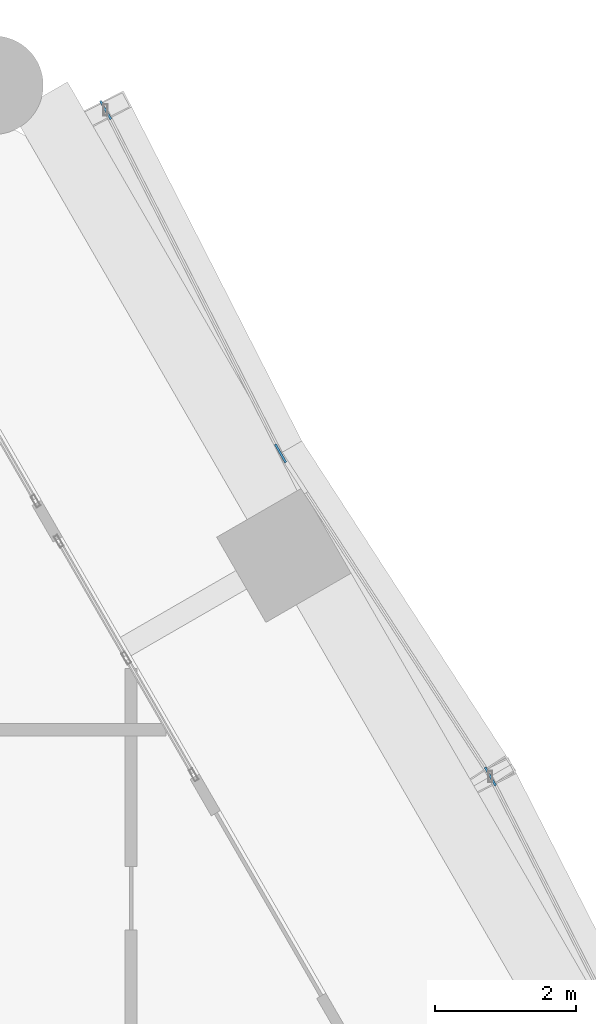
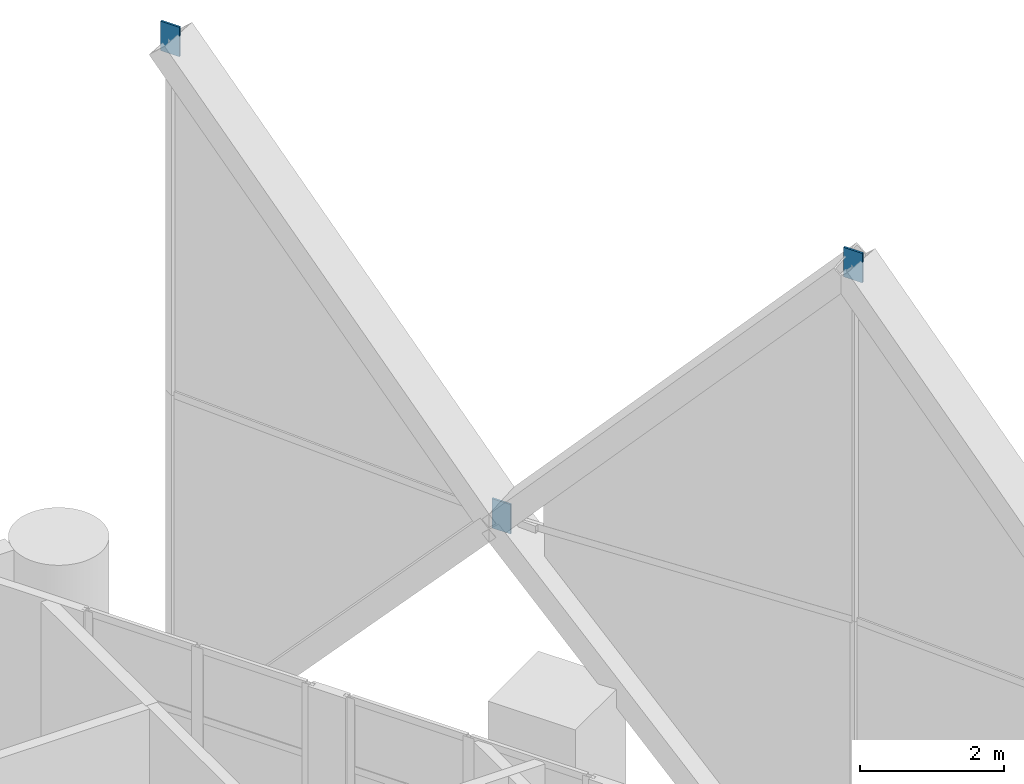
# One storey, part 45 of 46: 3 discrete accessories.
"""IFC4 building model written with IfcOpenShell, lengths in metres."""

from ifc_helpers import new_model, si_unit, direction, frame, origin, origin_2d, place, context, subcontext, project, spatial, rectangle, extrude, material, layer, layer_set, type_object, element, save


model = new_model("IFC4")

# Units and contexts
model_context = context("Model", 3, precision=1e-05, world=origin(), true_north=direction((0.0, 1.0)))
body_context = subcontext(model_context, "Body", "Model", "MODEL_VIEW")
ifc_project = project(units=[si_unit("LENGTHUNIT", "METRE"), si_unit("AREAUNIT", "SQUARE_METRE"), si_unit("VOLUMEUNIT", "CUBIC_METRE"), si_unit("PLANEANGLEUNIT", "RADIAN"), si_unit("MASSUNIT", "GRAM", prefix="KILO")], contexts=[model_context])

# Site, building, storey
site_placement = place(None, origin())
site = spatial("IfcSite", under=ifc_project, at=site_placement, CompositionType="ELEMENT")
building_placement = place(site_placement, origin())
building = spatial("IfcBuilding", under=site, at=building_placement, Name="Ostrander Bayou Hotel Tower", CompositionType="ELEMENT")
storey_placement = place(building_placement, frame((0.0, 0.0, 23.5)))
storey = spatial("IfcBuildingStorey", under=building, at=storey_placement, Name="L05", CompositionType="ELEMENT", Elevation=23.5)

# Discrete accessories
ifc_material = material(Name="Steel ASTM A572 Gr 50", Category="steel")
ifc_layer = layer(ifc_material, 0.030029296875)
ifc_layer_set = layer_set([ifc_layer], Name="GP1 gusset plate 30 mm")
discrete_accessory_type = type_object("IfcDiscreteAccessoryType", Name="GP1 gusset plate 30 mm", PredefinedType="BRACKET", material=ifc_layer_set)
for number, where, z_axis, x_axis, name in (
    (1, (19.11328125, 11.034912109375, 11.14990234375), (0.0, 0.0, 1.0), (-0.5, 0.866025403784, 0.0), "GP1 gusset plate lat 63"),
    (2, (16.126953125, 15.63330078125, 5.14990234375), (0.0, 0.0, 1.0), (-0.5, 0.866025403784, 0.0), "GP1 gusset plate lat 64"),
    (3, (13.637939453125, 20.5185546875, 11.14990234375), (0.0, 0.0, 1.0), (-0.5, 0.866025403784, 0.0), "GP1 gusset plate lat 65"),
):
    element("IfcDiscreteAccessory", number, at=place(storey_placement, frame(where, z_axis=z_axis, x_axis=x_axis)), inside=storey, type_object=discrete_accessory_type, Name=name, PredefinedType="BRACKET", context=body_context, shape_type="SweptSolid", body=[
        extrude(rectangle(XDim=0.300048828125, YDim=0.030029296875, at=origin_2d()), origin(), (0.0, 0.0, 1.0), 0.5),
    ])

save(model, "model.ifc")
